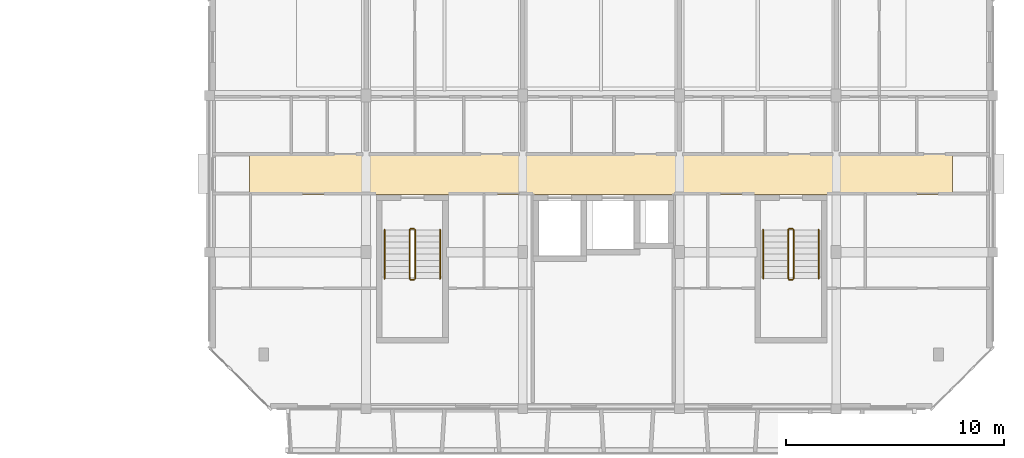
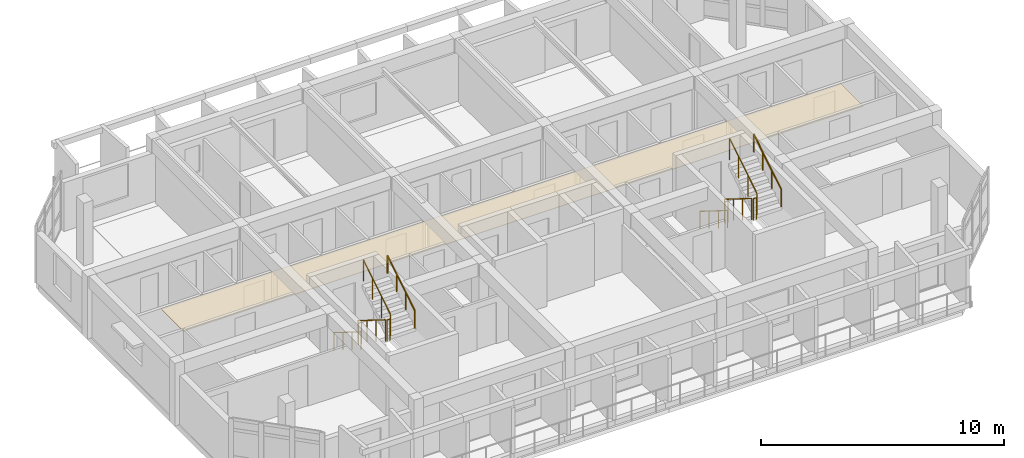
# One storey, part 30 of 31: 12 railings, 1 covering.
"""IFC4 building model written with IfcOpenShell, lengths in metres."""

import ifcopenshell
import ifcopenshell.guid

model = None  # the IFC model being written
_history = None  # IfcOwnerHistory: only IFC2X3 demands one
_inside = {}  # id of a spatial element -> (the spatial element, [elements in it])
_under = {}  # id of a project, library or spatial element -> (it, [spatial elements below it])
_declared = {}  # id of a project -> (the project, [libraries it declares])
_typed = {}  # id of a type object -> (the type object, [elements of that type])
_made_of = {}  # id of a material, layer set ... -> (it, [elements and type objects made of it])


def new_model(schema):
    """Start an empty IFC model of exactly this schema.

    Asked for "IFC4X3", IfcOpenShell would pick the latest addendum, in which some entities
    have other attributes; the version numbers below select the first issue.
    IFC2X3 requires an IfcOwnerHistory on every rooted entity: one is made here for all.
    """
    global model, _history
    if schema == "IFC4X3":
        model = ifcopenshell.file(schema_version=(4, 3, 0, 0))
    else:
        model = ifcopenshell.file(schema=schema)
    _inside.clear()
    _under.clear()
    _declared.clear()
    _typed.clear()
    _made_of.clear()
    _history = None
    if model.schema == "IFC2X3":
        org = make("IfcOrganization", Name="unknown")
        user = make(
            "IfcPersonAndOrganization",
            ThePerson=make("IfcPerson", FamilyName="unknown"),
            TheOrganization=org,
        )
        app = make(
            "IfcApplication",
            ApplicationDeveloper=org,
            Version="unknown",
            ApplicationFullName="unknown",
            ApplicationIdentifier="unknown",
        )
        _history = make(
            "IfcOwnerHistory",
            OwningUser=user,
            OwningApplication=app,
            ChangeAction="ADDED",
            CreationDate=0,
        )
    return model


def make(cls, **values):
    """One entity of the class cls with the attributes given. An attribute that is None is left unset."""
    return model.create_entity(
        cls, **{name: value for name, value in values.items() if value is not None}
    )


def rooted(cls, **values):
    """An entity with a GlobalId (a new one), such as an element, a storey or a relation."""
    return make(cls, GlobalId=ifcopenshell.guid.new(), OwnerHistory=_history, **values)


def si_unit(unit_type, name, prefix=None):
    """IfcSIUnit, for example si_unit("LENGTHUNIT", "METRE", prefix="MILLI")."""
    return make("IfcSIUnit", UnitType=unit_type, Prefix=prefix, Name=name)


def assignment(units):
    """IfcUnitAssignment: the units of a project."""
    return None if units is None else make("IfcUnitAssignment", Units=units)


def point(xyz):
    """IfcCartesianPoint."""
    return None if xyz is None else make("IfcCartesianPoint", Coordinates=xyz)


def direction(xyz):
    """IfcDirection."""
    return None if xyz is None else make("IfcDirection", DirectionRatios=xyz)


def frame(location, z_axis=None, x_axis=None):
    """IfcAxis2Placement3D, a coordinate frame: its origin and axes. An axis left out is left unset."""
    return make(
        "IfcAxis2Placement3D",
        Location=point(location),
        Axis=direction(z_axis),
        RefDirection=direction(x_axis),
    )


def frame_2d(location, x_axis=None):
    """IfcAxis2Placement2D, a coordinate frame in the plane: its origin and x axis."""
    return make(
        "IfcAxis2Placement2D", Location=point(location), RefDirection=direction(x_axis)
    )


def origin():
    """The frame at (0, 0, 0) with its axes left unset."""
    return frame((0.0, 0.0, 0.0))


def origin_2d():
    """The frame at (0, 0) in the plane with its x axis left unset."""
    return frame_2d((0.0, 0.0))


def place(relative_to, where):
    """IfcLocalPlacement: puts the frame where relative to a parent placement (None: the world)."""
    return make(
        "IfcLocalPlacement", PlacementRelTo=relative_to, RelativePlacement=where
    )


def context(
    kind, dimensions, precision=None, world=None, true_north=None, identifier=None
):
    """IfcGeometricRepresentationContext, for example the 3D "Model" context."""
    return make(
        "IfcGeometricRepresentationContext",
        ContextIdentifier=identifier,
        ContextType=kind,
        CoordinateSpaceDimension=dimensions,
        Precision=precision,
        WorldCoordinateSystem=world,
        TrueNorth=true_north,
    )


def subcontext(parent, identifier, kind, view, scale=None):
    """IfcGeometricRepresentationSubContext, for example "Body" below "Model"."""
    return make(
        "IfcGeometricRepresentationSubContext",
        ContextIdentifier=identifier,
        ContextType=kind,
        ParentContext=parent,
        TargetScale=scale,
        TargetView=view,
    )


def project(units=None, contexts=None):
    """IfcProject with its units and contexts."""
    return rooted(
        "IfcProject",
        Name="project",
        RepresentationContexts=contexts,
        UnitsInContext=assignment(units),
    )


def spatial(cls, under=None, at=None, **own):
    """A site, building, storey or space (cls), placed at a placement, below another one or the project."""
    s = rooted(cls, ObjectPlacement=at, **own)
    if under is not None:
        _under.setdefault(under.id(), (under, []))[1].append(s)
    return s


def polyline(points):
    """IfcPolyline through the points."""
    return make("IfcPolyline", Points=[point(p) for p in points])


def profile(cls, at=None, kind="AREA", **sizes):
    """A parametric profile (cls). Its sizes go by their IFC names, for example OverallWidth=200.0."""
    return make(cls, ProfileType=kind, Position=at, **sizes)


def circle(**sizes):
    """IfcCircleProfileDef."""
    return profile("IfcCircleProfileDef", **sizes)


def outline(outer, holes=None, kind="AREA"):
    """IfcArbitraryClosedProfileDef: a profile drawn as a closed curve; with holes, ...WithVoids."""
    if holes is None:
        return make("IfcArbitraryClosedProfileDef", ProfileType=kind, OuterCurve=outer)
    return make(
        "IfcArbitraryProfileDefWithVoids",
        ProfileType=kind,
        OuterCurve=outer,
        InnerCurves=holes,
    )


def extrude(swept, where, along, depth):
    """IfcExtrudedAreaSolid: the profile swept, set in the frame where, extruded along a direction by depth."""
    return make(
        "IfcExtrudedAreaSolid",
        SweptArea=swept,
        Position=where,
        ExtrudedDirection=direction(along),
        Depth=depth,
    )


def shape(context_of_items, identifier, shape_type, items):
    """IfcShapeRepresentation: the items that make up one representation, for example the "Body"."""
    return make(
        "IfcShapeRepresentation",
        ContextOfItems=context_of_items,
        RepresentationIdentifier=identifier,
        RepresentationType=shape_type,
        Items=items,
    )


def material(Name=None, Category=None):
    """IfcMaterial."""
    return make("IfcMaterial", Name=Name, Category=Category)


def layer(
    of_material, thickness, ventilated=None, Name=None, Category=None, Priority=None
):
    """IfcMaterialLayer: one layer of a wall or slab, of a material (None: an air gap)."""
    return make(
        "IfcMaterialLayer",
        Material=of_material,
        LayerThickness=thickness,
        IsVentilated=ventilated,
        Name=Name,
        Category=Category,
        Priority=Priority,
    )


def layer_set(layers, Name=None):
    """IfcMaterialLayerSet."""
    return make("IfcMaterialLayerSet", MaterialLayers=layers, LayerSetName=Name)


def made_of(thing, what):
    """Note that an element or type object is made of a material, layer set ...; save() writes the relation."""
    if what is not None:
        _made_of.setdefault(what.id(), (what, []))[1].append(thing)
    return thing


def type_object(cls, material=None, **own):
    """A type object (cls), such as IfcWallType, which elements share."""
    return made_of(rooted(cls, **own), material)


def element(
    cls,
    number,
    at=None,
    inside=None,
    cuts=None,
    type_object=None,
    material=None,
    context=None,
    identifier="Body",
    shape_type=None,
    held_by="IfcProductDefinitionShape",
    body=None,
    shapes=None,
    **own,
):
    """One element of the class cls, such as IfcWall. Its Tag is "e" and its number.

    at: its placement. inside: the storey or other place that contains it. cuts: it is an
    opening in that element (IfcRelVoidsElement). A single representation is given by context,
    identifier, shape_type and body (its items); several are given by shapes. held_by: the class
    of the entity that holds the representations. save() writes the other relations.
    """
    e = rooted(cls, Tag="e%d" % number, ObjectPlacement=at, **own)
    if body is not None:
        shapes = [shape(context, identifier, shape_type, body)]
    if shapes is not None:
        e.Representation = make(held_by, Representations=shapes)
    if inside is not None:
        _inside.setdefault(inside.id(), (inside, []))[1].append(e)
    if cuts is not None:
        rooted(
            "IfcRelVoidsElement", RelatingBuildingElement=cuts, RelatedOpeningElement=e
        )
    if type_object is not None:
        _typed.setdefault(type_object.id(), (type_object, []))[1].append(e)
    return made_of(e, material)


def aggregate(whole, parts):
    """IfcRelAggregates: a whole, such as a stair, and the parts it consists of."""
    return rooted("IfcRelAggregates", RelatingObject=whole, RelatedObjects=parts)


def save(model, path):
    """Write the relations noted so far, then the file.

    IfcRelAggregates (storeys below a building ...), IfcRelContainedInSpatialStructure (elements
    in a storey), IfcRelDefinesByType, IfcRelAssociatesMaterial and IfcRelDeclares: one each for
    every whole, place, type object, material and project.
    """
    for whole, parts in _under.values():
        aggregate(whole, parts)
    for where, things in _inside.values():
        rooted(
            "IfcRelContainedInSpatialStructure",
            RelatedElements=things,
            RelatingStructure=where,
        )
    for kind, things in _typed.values():
        rooted("IfcRelDefinesByType", RelatedObjects=things, RelatingType=kind)
    for what, things in _made_of.values():
        rooted("IfcRelAssociatesMaterial", RelatedObjects=things, RelatingMaterial=what)
    for by, libraries in _declared.values():
        rooted("IfcRelDeclares", RelatingContext=by, RelatedDefinitions=libraries)
    model.write(path)


model = new_model("IFC4")

# Units and contexts
model_context = context("Model", 3, precision=1e-05, world=origin(), true_north=direction((0.0, 1.0)))
body_context = subcontext(model_context, "Body", "Model", "MODEL_VIEW")
ifc_project = project(units=[si_unit("LENGTHUNIT", "METRE"), si_unit("AREAUNIT", "SQUARE_METRE"), si_unit("VOLUMEUNIT", "CUBIC_METRE"), si_unit("PLANEANGLEUNIT", "RADIAN"), si_unit("MASSUNIT", "GRAM", prefix="KILO")], contexts=[model_context])

# Site, building, storey
site_placement = place(None, origin())
site = spatial("IfcSite", under=ifc_project, at=site_placement, CompositionType="ELEMENT")
building_placement = place(site_placement, origin())
building = spatial("IfcBuilding", under=site, at=building_placement, Name="Ochrevale Crest", CompositionType="ELEMENT")
storey_placement = place(building_placement, frame((0.0, 0.0, 37.050048828125)))
storey = spatial("IfcBuildingStorey", under=building, at=storey_placement, Name="L11", CompositionType="ELEMENT", Elevation=37.050048828125)

# Covering
ifc_material_1 = material(Name="Gypsum plasterboard", Category="gypsum")
ifc_layer = layer(ifc_material_1, 0.02490234375)
ifc_layer_set = layer_set([ifc_layer], Name="Gypsum plasterboard")
covering_type = type_object("IfcCoveringType", Name="COV-CEIL-GYP", PredefinedType="CEILING", material=ifc_layer_set)
covering_placement = place(storey_placement, frame((0.0, 0.0, 2.280029296875)))
element("IfcCovering", 1, at=covering_placement, inside=storey, type_object=covering_type, Name="Block D L11 acoustic corridor ceiling", PredefinedType="CEILING", context=body_context, shape_type="SweptSolid", body=[
    extrude(outline(polyline([(131.449951171875, 81.860107421875), (163.75, 81.860107421875), (163.75, 83.739990234375), (131.449951171875, 83.739990234375), (131.449951171875, 81.860107421875)])), origin(), (0.0, 0.0, 1.0), 0.02490234375),
])

# Railings
ifc_material_2 = material(Name="Galvanised steel", Category="steel")
railing_type_1 = type_object("IfcRailingType", Name="RL-ST-GUARD", PredefinedType="BALUSTRADE", material=ifc_material_2)
railing_1_placement = place(storey_placement, frame((138.800048828125, 80.22509765625, 0.175048828125)))
element("IfcRailing", 2, at=railing_1_placement, inside=storey, type_object=railing_type_1, Name="L11 ST-D1 stair guard 1", PredefinedType="BALUSTRADE", context=body_context, shape_type="SweptSolid", body=[
    extrude(circle(Radius=0.02392578125, at=origin_2d()), frame((0.0, 0.0, 1.076171875), z_axis=(0.0, -0.848013881152, 0.529974015752), x_axis=(1.0, 0.0, 0.0)), (0.0, 0.0, 1.0), 2.641357421875),
    extrude(circle(Radius=0.02099609375, at=origin_2d()), origin(), (0.0, 0.0, 1.0), 1.052001953125),
    extrude(circle(Radius=0.02099609375, at=origin_2d()), frame((0.0, -0.74658203125, 0.466552734375)), (0.0, 0.0, 1.0), 1.052001953125),
    extrude(circle(Radius=0.02099609375, at=origin_2d()), frame((0.0, -1.493408203125, 0.933349609375)), (0.0, 0.0, 1.0), 1.052001953125),
    extrude(circle(Radius=0.02099609375, at=origin_2d()), frame((0.0, -2.239990234375, 1.39990234375)), (0.0, 0.0, 1.0), 1.052001953125),
])
railing_2_placement = place(storey_placement, frame((138.85009765625, 77.93505859375, 1.574951171875)))
element("IfcRailing", 3, at=railing_2_placement, inside=storey, type_object=railing_type_1, Name="L11 ST-D1 stair guard 2", PredefinedType="BALUSTRADE", context=body_context, shape_type="SweptSolid", body=[
    extrude(circle(Radius=0.02392578125, at=origin_2d()), frame((0.0, 0.0, 1.076171875), z_axis=(1.0, 0.0, 0.0), x_axis=(0.0, 1.0, 0.0)), (0.0, 0.0, 1.0), 0.14990234375),
    extrude(circle(Radius=0.02099609375, at=origin_2d()), origin(), (0.0, 0.0, 1.0), 1.052001953125),
    extrude(circle(Radius=0.02099609375, at=origin_2d()), frame((0.14990234375, 0.0, 0.0)), (0.0, 0.0, 1.0), 1.052001953125),
])
railing_3_placement = place(storey_placement, frame((139.050048828125, 77.985107421875, 1.75)))
element("IfcRailing", 4, at=railing_3_placement, inside=storey, type_object=railing_type_1, Name="L11 ST-D1 stair guard 3", PredefinedType="BALUSTRADE", context=body_context, shape_type="SweptSolid", body=[
    extrude(circle(Radius=0.02392578125, at=origin_2d()), frame((0.0, 0.0, 1.076171875), z_axis=(0.0, 0.848013881152, 0.529974015752), x_axis=(-1.0, 0.0, 0.0)), (0.0, 0.0, 1.0), 2.641357421875),
    extrude(circle(Radius=0.02099609375, at=origin_2d()), origin(), (0.0, 0.0, 1.0), 1.052001953125),
    extrude(circle(Radius=0.02099609375, at=origin_2d()), frame((0.0, 0.74658203125, 0.466552734375)), (0.0, 0.0, 1.0), 1.052001953125),
    extrude(circle(Radius=0.02099609375, at=origin_2d()), frame((0.0, 1.493408203125, 0.933349609375)), (0.0, 0.0, 1.0), 1.052001953125),
    extrude(circle(Radius=0.02099609375, at=origin_2d()), frame((0.0, 2.239990234375, 1.39990234375)), (0.0, 0.0, 1.0), 1.052001953125),
])
railing_4_placement = place(storey_placement, frame((138.85009765625, 80.27490234375, 0.0)))
element("IfcRailing", 5, at=railing_4_placement, inside=storey, type_object=railing_type_1, Name="L11 ST-D1 stair guard 4", PredefinedType="BALUSTRADE", context=body_context, shape_type="SweptSolid", body=[
    extrude(circle(Radius=0.02392578125, at=origin_2d()), frame((0.0, 0.0, 1.076171875), z_axis=(1.0, 0.0, 0.0), x_axis=(0.0, 1.0, 0.0)), (0.0, 0.0, 1.0), 0.14990234375),
    extrude(circle(Radius=0.02099609375, at=origin_2d()), origin(), (0.0, 0.0, 1.0), 1.052001953125),
    extrude(circle(Radius=0.02099609375, at=origin_2d()), frame((0.14990234375, 0.0, 0.0)), (0.0, 0.0, 1.0), 1.052001953125),
])
railing_5_placement = place(storey_placement, frame((156.199951171875, 80.22509765625, 0.175048828125)))
element("IfcRailing", 6, at=railing_5_placement, inside=storey, type_object=railing_type_1, Name="L11 ST-D2 stair guard 1", PredefinedType="BALUSTRADE", context=body_context, shape_type="SweptSolid", body=[
    extrude(circle(Radius=0.02392578125, at=origin_2d()), frame((0.0, 0.0, 1.076171875), z_axis=(0.0, -0.848013881152, 0.529974015752), x_axis=(1.0, 0.0, 0.0)), (0.0, 0.0, 1.0), 2.641357421875),
    extrude(circle(Radius=0.02099609375, at=origin_2d()), origin(), (0.0, 0.0, 1.0), 1.052001953125),
    extrude(circle(Radius=0.02099609375, at=origin_2d()), frame((0.0, -0.74658203125, 0.466552734375)), (0.0, 0.0, 1.0), 1.052001953125),
    extrude(circle(Radius=0.02099609375, at=origin_2d()), frame((0.0, -1.493408203125, 0.933349609375)), (0.0, 0.0, 1.0), 1.052001953125),
    extrude(circle(Radius=0.02099609375, at=origin_2d()), frame((0.0, -2.239990234375, 1.39990234375)), (0.0, 0.0, 1.0), 1.052001953125),
])
railing_6_placement = place(storey_placement, frame((156.25, 77.93505859375, 1.574951171875)))
element("IfcRailing", 7, at=railing_6_placement, inside=storey, type_object=railing_type_1, Name="L11 ST-D2 stair guard 2", PredefinedType="BALUSTRADE", context=body_context, shape_type="SweptSolid", body=[
    extrude(circle(Radius=0.02392578125, at=origin_2d()), frame((0.0, 0.0, 1.076171875), z_axis=(1.0, 0.0, 0.0), x_axis=(0.0, 1.0, 0.0)), (0.0, 0.0, 1.0), 0.14990234375),
    extrude(circle(Radius=0.02099609375, at=origin_2d()), origin(), (0.0, 0.0, 1.0), 1.052001953125),
    extrude(circle(Radius=0.02099609375, at=origin_2d()), frame((0.14990234375, 0.0, 0.0)), (0.0, 0.0, 1.0), 1.052001953125),
])
railing_7_placement = place(storey_placement, frame((156.449951171875, 77.985107421875, 1.75)))
element("IfcRailing", 8, at=railing_7_placement, inside=storey, type_object=railing_type_1, Name="L11 ST-D2 stair guard 3", PredefinedType="BALUSTRADE", context=body_context, shape_type="SweptSolid", body=[
    extrude(circle(Radius=0.02392578125, at=origin_2d()), frame((0.0, 0.0, 1.076171875), z_axis=(0.0, 0.848013881152, 0.529974015752), x_axis=(-1.0, 0.0, 0.0)), (0.0, 0.0, 1.0), 2.641357421875),
    extrude(circle(Radius=0.02099609375, at=origin_2d()), origin(), (0.0, 0.0, 1.0), 1.052001953125),
    extrude(circle(Radius=0.02099609375, at=origin_2d()), frame((0.0, 0.74658203125, 0.466552734375)), (0.0, 0.0, 1.0), 1.052001953125),
    extrude(circle(Radius=0.02099609375, at=origin_2d()), frame((0.0, 1.493408203125, 0.933349609375)), (0.0, 0.0, 1.0), 1.052001953125),
    extrude(circle(Radius=0.02099609375, at=origin_2d()), frame((0.0, 2.239990234375, 1.39990234375)), (0.0, 0.0, 1.0), 1.052001953125),
])
railing_8_placement = place(storey_placement, frame((156.25, 80.27490234375, 0.0)))
element("IfcRailing", 9, at=railing_8_placement, inside=storey, type_object=railing_type_1, Name="L11 ST-D2 stair guard 4", PredefinedType="BALUSTRADE", context=body_context, shape_type="SweptSolid", body=[
    extrude(circle(Radius=0.02392578125, at=origin_2d()), frame((0.0, 0.0, 1.076171875), z_axis=(1.0, 0.0, 0.0), x_axis=(0.0, 1.0, 0.0)), (0.0, 0.0, 1.0), 0.14990234375),
    extrude(circle(Radius=0.02099609375, at=origin_2d()), origin(), (0.0, 0.0, 1.0), 1.052001953125),
    extrude(circle(Radius=0.02099609375, at=origin_2d()), frame((0.14990234375, 0.0, 0.0)), (0.0, 0.0, 1.0), 1.052001953125),
])
ifc_material_3 = material(Name="Stainless steel", Category="steel")
railing_type_2 = type_object("IfcRailingType", Name="RL-ST-HRAIL", PredefinedType="HANDRAIL", material=ifc_material_3)
railing_9_placement = place(storey_placement, frame((137.64990234375, 80.22509765625, 0.175048828125)))
element("IfcRailing", 10, at=railing_9_placement, inside=storey, type_object=railing_type_2, Name="L11 ST-D1 stair handrail 1", PredefinedType="HANDRAIL", context=body_context, shape_type="SweptSolid", body=[
    extrude(circle(Radius=0.02392578125, at=origin_2d()), frame((0.0, 0.0, 0.8759765625), z_axis=(0.0, -0.848013881152, 0.529974015752), x_axis=(1.0, 0.0, 0.0)), (0.0, 0.0, 1.0), 2.641357421875),
    extrude(circle(Radius=0.02099609375, at=origin_2d()), origin(), (0.0, 0.0, 1.0), 0.851806640625),
    extrude(circle(Radius=0.02099609375, at=origin_2d()), frame((0.0, -0.74658203125, 0.466552734375)), (0.0, 0.0, 1.0), 0.851806640625),
    extrude(circle(Radius=0.02099609375, at=origin_2d()), frame((0.0, -1.493408203125, 0.933349609375)), (0.0, 0.0, 1.0), 0.851806640625),
    extrude(circle(Radius=0.02099609375, at=origin_2d()), frame((0.0, -2.239990234375, 1.39990234375)), (0.0, 0.0, 1.0), 0.851806640625),
])
railing_10_placement = place(storey_placement, frame((140.199951171875, 77.985107421875, 1.75)))
element("IfcRailing", 11, at=railing_10_placement, inside=storey, type_object=railing_type_2, Name="L11 ST-D1 stair handrail 2", PredefinedType="HANDRAIL", context=body_context, shape_type="SweptSolid", body=[
    extrude(circle(Radius=0.02392578125, at=origin_2d()), frame((0.0, 0.0, 0.8759765625), z_axis=(0.0, 0.848013881152, 0.529974015752), x_axis=(-1.0, 0.0, 0.0)), (0.0, 0.0, 1.0), 2.641357421875),
    extrude(circle(Radius=0.02099609375, at=origin_2d()), origin(), (0.0, 0.0, 1.0), 0.851806640625),
    extrude(circle(Radius=0.02099609375, at=origin_2d()), frame((0.0, 0.74658203125, 0.466552734375)), (0.0, 0.0, 1.0), 0.851806640625),
    extrude(circle(Radius=0.02099609375, at=origin_2d()), frame((0.0, 1.493408203125, 0.933349609375)), (0.0, 0.0, 1.0), 0.851806640625),
    extrude(circle(Radius=0.02099609375, at=origin_2d()), frame((0.0, 2.239990234375, 1.39990234375)), (0.0, 0.0, 1.0), 0.851806640625),
])
railing_11_placement = place(storey_placement, frame((155.050048828125, 80.22509765625, 0.175048828125)))
element("IfcRailing", 12, at=railing_11_placement, inside=storey, type_object=railing_type_2, Name="L11 ST-D2 stair handrail 1", PredefinedType="HANDRAIL", context=body_context, shape_type="SweptSolid", body=[
    extrude(circle(Radius=0.02392578125, at=origin_2d()), frame((0.0, 0.0, 0.8759765625), z_axis=(0.0, -0.848013881152, 0.529974015752), x_axis=(1.0, 0.0, 0.0)), (0.0, 0.0, 1.0), 2.641357421875),
    extrude(circle(Radius=0.02099609375, at=origin_2d()), origin(), (0.0, 0.0, 1.0), 0.851806640625),
    extrude(circle(Radius=0.02099609375, at=origin_2d()), frame((0.0, -0.74658203125, 0.466552734375)), (0.0, 0.0, 1.0), 0.851806640625),
    extrude(circle(Radius=0.02099609375, at=origin_2d()), frame((0.0, -1.493408203125, 0.933349609375)), (0.0, 0.0, 1.0), 0.851806640625),
    extrude(circle(Radius=0.02099609375, at=origin_2d()), frame((0.0, -2.239990234375, 1.39990234375)), (0.0, 0.0, 1.0), 0.851806640625),
])
railing_12_placement = place(storey_placement, frame((157.60009765625, 77.985107421875, 1.75)))
element("IfcRailing", 13, at=railing_12_placement, inside=storey, type_object=railing_type_2, Name="L11 ST-D2 stair handrail 2", PredefinedType="HANDRAIL", context=body_context, shape_type="SweptSolid", body=[
    extrude(circle(Radius=0.02392578125, at=origin_2d()), frame((0.0, 0.0, 0.8759765625), z_axis=(0.0, 0.848013881152, 0.529974015752), x_axis=(-1.0, 0.0, 0.0)), (0.0, 0.0, 1.0), 2.641357421875),
    extrude(circle(Radius=0.02099609375, at=origin_2d()), origin(), (0.0, 0.0, 1.0), 0.851806640625),
    extrude(circle(Radius=0.02099609375, at=origin_2d()), frame((0.0, 0.74658203125, 0.466552734375)), (0.0, 0.0, 1.0), 0.851806640625),
    extrude(circle(Radius=0.02099609375, at=origin_2d()), frame((0.0, 1.493408203125, 0.933349609375)), (0.0, 0.0, 1.0), 0.851806640625),
    extrude(circle(Radius=0.02099609375, at=origin_2d()), frame((0.0, 2.239990234375, 1.39990234375)), (0.0, 0.0, 1.0), 0.851806640625),
])

save(model, "model.ifc")
